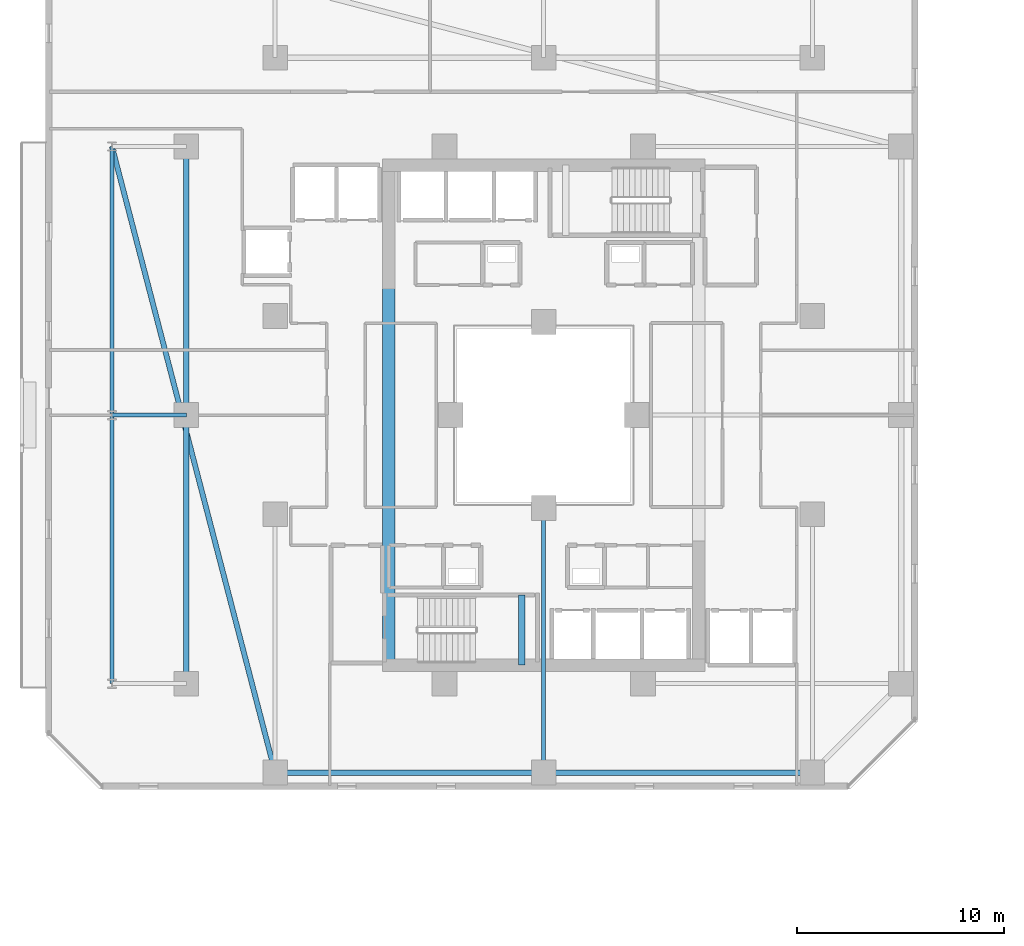
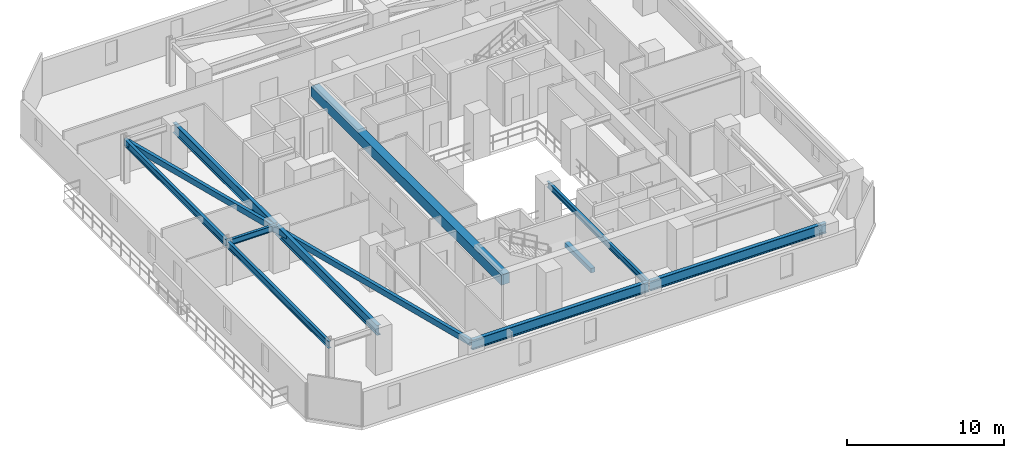
# One storey, part 4 of 33: 11 beams.
"""IFC4 building model written with IfcOpenShell, lengths in metres."""

import ifcopenshell
import ifcopenshell.guid

model = None  # the IFC model being written
_history = None  # IfcOwnerHistory: only IFC2X3 demands one
_inside = {}  # id of a spatial element -> (the spatial element, [elements in it])
_under = {}  # id of a project, library or spatial element -> (it, [spatial elements below it])
_declared = {}  # id of a project -> (the project, [libraries it declares])
_typed = {}  # id of a type object -> (the type object, [elements of that type])
_made_of = {}  # id of a material, layer set ... -> (it, [elements and type objects made of it])


def new_model(schema):
    """Start an empty IFC model of exactly this schema.

    Asked for "IFC4X3", IfcOpenShell would pick the latest addendum, in which some entities
    have other attributes; the version numbers below select the first issue.
    IFC2X3 requires an IfcOwnerHistory on every rooted entity: one is made here for all.
    """
    global model, _history
    if schema == "IFC4X3":
        model = ifcopenshell.file(schema_version=(4, 3, 0, 0))
    else:
        model = ifcopenshell.file(schema=schema)
    _inside.clear()
    _under.clear()
    _declared.clear()
    _typed.clear()
    _made_of.clear()
    _history = None
    if model.schema == "IFC2X3":
        org = make("IfcOrganization", Name="unknown")
        user = make(
            "IfcPersonAndOrganization",
            ThePerson=make("IfcPerson", FamilyName="unknown"),
            TheOrganization=org,
        )
        app = make(
            "IfcApplication",
            ApplicationDeveloper=org,
            Version="unknown",
            ApplicationFullName="unknown",
            ApplicationIdentifier="unknown",
        )
        _history = make(
            "IfcOwnerHistory",
            OwningUser=user,
            OwningApplication=app,
            ChangeAction="ADDED",
            CreationDate=0,
        )
    return model


def make(cls, **values):
    """One entity of the class cls with the attributes given. An attribute that is None is left unset."""
    return model.create_entity(
        cls, **{name: value for name, value in values.items() if value is not None}
    )


def rooted(cls, **values):
    """An entity with a GlobalId (a new one), such as an element, a storey or a relation."""
    return make(cls, GlobalId=ifcopenshell.guid.new(), OwnerHistory=_history, **values)


def si_unit(unit_type, name, prefix=None):
    """IfcSIUnit, for example si_unit("LENGTHUNIT", "METRE", prefix="MILLI")."""
    return make("IfcSIUnit", UnitType=unit_type, Prefix=prefix, Name=name)


def assignment(units):
    """IfcUnitAssignment: the units of a project."""
    return None if units is None else make("IfcUnitAssignment", Units=units)


def point(xyz):
    """IfcCartesianPoint."""
    return None if xyz is None else make("IfcCartesianPoint", Coordinates=xyz)


def direction(xyz):
    """IfcDirection."""
    return None if xyz is None else make("IfcDirection", DirectionRatios=xyz)


def frame(location, z_axis=None, x_axis=None):
    """IfcAxis2Placement3D, a coordinate frame: its origin and axes. An axis left out is left unset."""
    return make(
        "IfcAxis2Placement3D",
        Location=point(location),
        Axis=direction(z_axis),
        RefDirection=direction(x_axis),
    )


def frame_2d(location, x_axis=None):
    """IfcAxis2Placement2D, a coordinate frame in the plane: its origin and x axis."""
    return make(
        "IfcAxis2Placement2D", Location=point(location), RefDirection=direction(x_axis)
    )


def origin():
    """The frame at (0, 0, 0) with its axes left unset."""
    return frame((0.0, 0.0, 0.0))


def origin_2d():
    """The frame at (0, 0) in the plane with its x axis left unset."""
    return frame_2d((0.0, 0.0))


def place(relative_to, where):
    """IfcLocalPlacement: puts the frame where relative to a parent placement (None: the world)."""
    return make(
        "IfcLocalPlacement", PlacementRelTo=relative_to, RelativePlacement=where
    )


def context(
    kind, dimensions, precision=None, world=None, true_north=None, identifier=None
):
    """IfcGeometricRepresentationContext, for example the 3D "Model" context."""
    return make(
        "IfcGeometricRepresentationContext",
        ContextIdentifier=identifier,
        ContextType=kind,
        CoordinateSpaceDimension=dimensions,
        Precision=precision,
        WorldCoordinateSystem=world,
        TrueNorth=true_north,
    )


def subcontext(parent, identifier, kind, view, scale=None):
    """IfcGeometricRepresentationSubContext, for example "Body" below "Model"."""
    return make(
        "IfcGeometricRepresentationSubContext",
        ContextIdentifier=identifier,
        ContextType=kind,
        ParentContext=parent,
        TargetScale=scale,
        TargetView=view,
    )


def project(units=None, contexts=None):
    """IfcProject with its units and contexts."""
    return rooted(
        "IfcProject",
        Name="project",
        RepresentationContexts=contexts,
        UnitsInContext=assignment(units),
    )


def spatial(cls, under=None, at=None, **own):
    """A site, building, storey or space (cls), placed at a placement, below another one or the project."""
    s = rooted(cls, ObjectPlacement=at, **own)
    if under is not None:
        _under.setdefault(under.id(), (under, []))[1].append(s)
    return s


def profile(cls, at=None, kind="AREA", **sizes):
    """A parametric profile (cls). Its sizes go by their IFC names, for example OverallWidth=200.0."""
    return make(cls, ProfileType=kind, Position=at, **sizes)


def rectangle(**sizes):
    """IfcRectangleProfileDef."""
    return profile("IfcRectangleProfileDef", **sizes)


def hollow_rectangle(**sizes):
    """IfcRectangleHollowProfileDef."""
    return profile("IfcRectangleHollowProfileDef", **sizes)


def i_section(**sizes):
    """IfcIShapeProfileDef."""
    return profile("IfcIShapeProfileDef", **sizes)


def extrude(swept, where, along, depth):
    """IfcExtrudedAreaSolid: the profile swept, set in the frame where, extruded along a direction by depth."""
    return make(
        "IfcExtrudedAreaSolid",
        SweptArea=swept,
        Position=where,
        ExtrudedDirection=direction(along),
        Depth=depth,
    )


def shape(context_of_items, identifier, shape_type, items):
    """IfcShapeRepresentation: the items that make up one representation, for example the "Body"."""
    return make(
        "IfcShapeRepresentation",
        ContextOfItems=context_of_items,
        RepresentationIdentifier=identifier,
        RepresentationType=shape_type,
        Items=items,
    )


def material(Name=None, Category=None):
    """IfcMaterial."""
    return make("IfcMaterial", Name=Name, Category=Category)


def material_profile(
    of_material, cross_section, Name=None, Category=None, Priority=None
):
    """IfcMaterialProfile: a cross section and its material."""
    return make(
        "IfcMaterialProfile",
        Name=Name,
        Material=of_material,
        Profile=cross_section,
        Priority=Priority,
        Category=Category,
    )


def profile_set(profiles, Name=None, composite=None):
    """IfcMaterialProfileSet."""
    return make(
        "IfcMaterialProfileSet",
        Name=Name,
        MaterialProfiles=profiles,
        CompositeProfile=composite,
    )


def made_of(thing, what):
    """Note that an element or type object is made of a material, layer set ...; save() writes the relation."""
    if what is not None:
        _made_of.setdefault(what.id(), (what, []))[1].append(thing)
    return thing


def type_object(cls, material=None, **own):
    """A type object (cls), such as IfcWallType, which elements share."""
    return made_of(rooted(cls, **own), material)


def element(
    cls,
    number,
    at=None,
    inside=None,
    cuts=None,
    type_object=None,
    material=None,
    context=None,
    identifier="Body",
    shape_type=None,
    held_by="IfcProductDefinitionShape",
    body=None,
    shapes=None,
    **own,
):
    """One element of the class cls, such as IfcWall. Its Tag is "e" and its number.

    at: its placement. inside: the storey or other place that contains it. cuts: it is an
    opening in that element (IfcRelVoidsElement). A single representation is given by context,
    identifier, shape_type and body (its items); several are given by shapes. held_by: the class
    of the entity that holds the representations. save() writes the other relations.
    """
    e = rooted(cls, Tag="e%d" % number, ObjectPlacement=at, **own)
    if body is not None:
        shapes = [shape(context, identifier, shape_type, body)]
    if shapes is not None:
        e.Representation = make(held_by, Representations=shapes)
    if inside is not None:
        _inside.setdefault(inside.id(), (inside, []))[1].append(e)
    if cuts is not None:
        rooted(
            "IfcRelVoidsElement", RelatingBuildingElement=cuts, RelatedOpeningElement=e
        )
    if type_object is not None:
        _typed.setdefault(type_object.id(), (type_object, []))[1].append(e)
    return made_of(e, material)


def aggregate(whole, parts):
    """IfcRelAggregates: a whole, such as a stair, and the parts it consists of."""
    return rooted("IfcRelAggregates", RelatingObject=whole, RelatedObjects=parts)


def save(model, path):
    """Write the relations noted so far, then the file.

    IfcRelAggregates (storeys below a building ...), IfcRelContainedInSpatialStructure (elements
    in a storey), IfcRelDefinesByType, IfcRelAssociatesMaterial and IfcRelDeclares: one each for
    every whole, place, type object, material and project.
    """
    for whole, parts in _under.values():
        aggregate(whole, parts)
    for where, things in _inside.values():
        rooted(
            "IfcRelContainedInSpatialStructure",
            RelatedElements=things,
            RelatingStructure=where,
        )
    for kind, things in _typed.values():
        rooted("IfcRelDefinesByType", RelatedObjects=things, RelatingType=kind)
    for what, things in _made_of.values():
        rooted("IfcRelAssociatesMaterial", RelatedObjects=things, RelatingMaterial=what)
    for by, libraries in _declared.values():
        rooted("IfcRelDeclares", RelatingContext=by, RelatedDefinitions=libraries)
    model.write(path)


model = new_model("IFC4")

# Units and contexts
model_context = context("Model", 3, precision=1e-05, world=origin(), true_north=direction((0.0, 1.0)))
body_context = subcontext(model_context, "Body", "Model", "MODEL_VIEW")
ifc_project = project(units=[si_unit("LENGTHUNIT", "METRE"), si_unit("AREAUNIT", "SQUARE_METRE"), si_unit("VOLUMEUNIT", "CUBIC_METRE"), si_unit("PLANEANGLEUNIT", "RADIAN"), si_unit("MASSUNIT", "GRAM", prefix="KILO")], contexts=[model_context])

# Site, building, storey
site_placement = place(None, origin())
site = spatial("IfcSite", under=ifc_project, at=site_placement, CompositionType="ELEMENT")
building_placement = place(site_placement, origin())
building = spatial("IfcBuilding", under=site, at=building_placement, Name="Thornwick Lancets Civic Towers", CompositionType="ELEMENT")
storey_placement = place(building_placement, frame((0.0, 0.0, 108.89990234375)))
storey = spatial("IfcBuildingStorey", under=building, at=storey_placement, Name="L28", CompositionType="ELEMENT", Elevation=108.89990234375)

# Beams
ifc_material_1 = material(Name="Concrete C60/75", Category="concrete")
ifc_material_profile_1 = material_profile(ifc_material_1, rectangle(XDim=0.60009765625, YDim=0.800048828125, at=origin_2d()), Name="RC 600x800")
ifc_profile_set_1 = profile_set([ifc_material_profile_1], Name="Concrete C60/75")
beam_type_1 = type_object("IfcBeamType", Name="BM_COUP_RC800", PredefinedType="BEAM", material=ifc_profile_set_1)
beam_1_placement = place(storey_placement, frame((18.0, 14.89990234375, 2.960205078125), z_axis=(0.0, 1.0, 0.0), x_axis=(-1.0, 0.0, 0.0)))
element("IfcBeam", 1, at=beam_1_placement, inside=storey, type_object=beam_type_1, Name="CB-L28-A2", PredefinedType="BEAM", context=body_context, shape_type="SweptSolid", body=[
    extrude(rectangle(XDim=0.60009765625, YDim=0.800048828125, at=origin_2d()), origin(), (0.0, 0.0, 1.0), 24.2001953125),
])
ifc_material_2 = material(Name="Steel S355JR", Category="steel")
ifc_material_profile_2 = material_profile(ifc_material_2, i_section(OverallWidth=0.2119140625, OverallDepth=0.54443359375, WebThickness=0.0126953125, FlangeThickness=0.021240234375, FilletRadius=0.0126953125, at=origin_2d()), Name="UKB 533x210x122")
ifc_profile_set_2 = profile_set([ifc_material_profile_2], Name="Steel S355JR")
beam_type_2 = type_object("IfcBeamType", Name="BM_EDGE_533_122", PredefinedType="SPANDREL", material=ifc_profile_set_2)
beam_2_placement = place(storey_placement, frame((4.60009765625, 14.0, 3.087890625), z_axis=(0.0, 1.0, 0.0), x_axis=(-1.0, 0.0, 0.0)))
element("IfcBeam", 2, at=beam_2_placement, inside=storey, type_object=beam_type_2, Name="BM-EDGE-L28-A-S3-1", PredefinedType="SPANDREL", context=body_context, shape_type="SweptSolid", body=[
    extrude(i_section(OverallWidth=0.2119140625, OverallDepth=0.54443359375, WebThickness=0.0126953125, FlangeThickness=0.021240234375, FilletRadius=0.0126953125, at=origin_2d()), origin(), (0.0, 0.0, 1.0), 13.0),
])
beam_3_placement = place(storey_placement, frame((4.60009765625, 27.080078125, 3.087890625), z_axis=(0.0, 1.0, 0.0), x_axis=(-1.0, 0.0, 0.0)))
element("IfcBeam", 3, at=beam_3_placement, inside=storey, type_object=beam_type_2, Name="BM-EDGE-L28-A-S3-2", PredefinedType="SPANDREL", context=body_context, shape_type="SweptSolid", body=[
    extrude(i_section(OverallWidth=0.2119140625, OverallDepth=0.54443359375, WebThickness=0.0126953125, FlangeThickness=0.021240234375, FilletRadius=0.0126953125, at=origin_2d()), origin(), (0.0, 0.0, 1.0), 12.919921875),
])
ifc_material_profile_3 = material_profile(ifc_material_2, i_section(OverallWidth=0.26806640625, OverallDepth=0.769775390625, WebThickness=0.015625, FlangeThickness=0.025390625, FilletRadius=0.0166015625, at=origin_2d()), Name="UKB 762x267x197")
ifc_profile_set_3 = profile_set([ifc_material_profile_3], Name="Steel S355JR")
beam_type_3 = type_object("IfcBeamType", Name="BM_GIRD_762_197", PredefinedType="BEAM", material=ifc_profile_set_3)
beam_4_placement = place(storey_placement, frame((12.5, 9.699951171875, 2.97509765625), z_axis=(1.0, 0.0, 0.0), x_axis=(0.0, 1.0, 0.0)))
element("IfcBeam", 4, at=beam_4_placement, inside=storey, type_object=beam_type_3, Name="BM-SPINE-L28-A-0-1", PredefinedType="BEAM", context=body_context, shape_type="SweptSolid", body=[
    extrude(i_section(OverallWidth=0.26806640625, OverallDepth=0.769775390625, WebThickness=0.015625, FlangeThickness=0.025390625, FilletRadius=0.0166015625, at=origin_2d()), origin(), (0.0, 0.0, 1.0), 13.0),
])
beam_5_placement = place(storey_placement, frame((25.580078125, 9.699951171875, 2.97509765625), z_axis=(1.0, 0.0, 0.0), x_axis=(0.0, 1.0, 0.0)))
element("IfcBeam", 5, at=beam_5_placement, inside=storey, type_object=beam_type_3, Name="BM-SPINE-L28-A-1-2", PredefinedType="BEAM", context=body_context, shape_type="SweptSolid", body=[
    extrude(i_section(OverallWidth=0.26806640625, OverallDepth=0.769775390625, WebThickness=0.015625, FlangeThickness=0.025390625, FilletRadius=0.0166015625, at=origin_2d()), origin(), (0.0, 0.0, 1.0), 12.919921875),
])
beam_6_placement = place(storey_placement, frame((8.199951171875, 14.0, 2.97509765625), z_axis=(0.0, 1.0, 0.0), x_axis=(-1.0, 0.0, 0.0)))
element("IfcBeam", 6, at=beam_6_placement, inside=storey, type_object=beam_type_3, Name="BM-SPINE-L28-A-9-10", PredefinedType="BEAM", context=body_context, shape_type="SweptSolid", body=[
    extrude(i_section(OverallWidth=0.26806640625, OverallDepth=0.769775390625, WebThickness=0.015625, FlangeThickness=0.025390625, FilletRadius=0.0166015625, at=origin_2d()), origin(), (0.0, 0.0, 1.0), 13.0),
])
beam_7_placement = place(storey_placement, frame((8.199951171875, 27.080078125, 2.97509765625), z_axis=(0.0, 1.0, 0.0), x_axis=(-1.0, 0.0, 0.0)))
element("IfcBeam", 7, at=beam_7_placement, inside=storey, type_object=beam_type_3, Name="BM-SPINE-L28-A-10-11", PredefinedType="BEAM", context=body_context, shape_type="SweptSolid", body=[
    extrude(i_section(OverallWidth=0.26806640625, OverallDepth=0.769775390625, WebThickness=0.015625, FlangeThickness=0.025390625, FilletRadius=0.0166015625, at=origin_2d()), origin(), (0.0, 0.0, 1.0), 12.919921875),
])
ifc_material_profile_4 = material_profile(ifc_material_2, i_section(OverallWidth=0.19189453125, OverallDepth=0.46337890625, WebThickness=0.010498046875, FlangeThickness=0.017578125, FilletRadius=0.01025390625, at=origin_2d()), Name="UKB 457x191x89")
ifc_profile_set_4 = profile_set([ifc_material_profile_4], Name="Steel S355JR")
beam_type_4 = type_object("IfcBeamType", Name="BM_JOIST_457_89", PredefinedType="JOIST", material=ifc_profile_set_4)
beam_8_placement = place(storey_placement, frame((25.5, 22.5, 3.12841796875), z_axis=(0.0, -1.0, 0.0), x_axis=(1.0, 0.0, 0.0)))
element("IfcBeam", 8, at=beam_8_placement, inside=storey, type_object=beam_type_4, Name="BM-RADIN-L28-A02", PredefinedType="JOIST", context=body_context, shape_type="SweptSolid", body=[
    extrude(i_section(OverallWidth=0.19189453125, OverallDepth=0.46337890625, WebThickness=0.010498046875, FlangeThickness=0.017578125, FilletRadius=0.01025390625, at=origin_2d()), origin(), (0.0, 0.0, 1.0), 12.800048828125),
])
beam_9_placement = place(storey_placement, frame((8.199951171875, 27.0, 3.12841796875), z_axis=(-1.0, 0.0, 0.0), x_axis=(0.0, -1.0, 0.0)))
element("IfcBeam", 9, at=beam_9_placement, inside=storey, type_object=beam_type_4, Name="BM-RAD-L28-A11", PredefinedType="JOIST", context=body_context, shape_type="SweptSolid", body=[
    extrude(i_section(OverallWidth=0.19189453125, OverallDepth=0.46337890625, WebThickness=0.010498046875, FlangeThickness=0.017578125, FilletRadius=0.01025390625, at=origin_2d()), origin(), (0.0, 0.0, 1.0), 3.599853515625),
])
ifc_material_profile_5 = material_profile(ifc_material_2, hollow_rectangle(XDim=0.25, YDim=0.449951171875, WallThickness=0.01611328125, at=origin_2d()), Name="RHS 450x250x16")
ifc_profile_set_5 = profile_set([ifc_material_profile_5], Name="Steel S355JR")
beam_type_5 = type_object("IfcBeamType", Name="BM_RING_RHS450", PredefinedType="BEAM", material=ifc_profile_set_5)
beam_10_placement = place(storey_placement, frame((4.60009765625, 40.0, 3.135009765625), z_axis=(0.252288590311, -0.967652038286, 0.0), x_axis=(0.967652038286, 0.252288590311, 0.0)))
element("IfcBeam", 10, at=beam_10_placement, inside=storey, type_object=beam_type_5, Name="BM-CHAMF-L28-A-C3", PredefinedType="BEAM", context=body_context, shape_type="SweptSolid", body=[
    extrude(hollow_rectangle(XDim=0.25, YDim=0.449951171875, WallThickness=0.01611328125, at=origin_2d()), origin(), (0.0, 0.0, 1.0), 31.31298828125),
])
ifc_material_3 = material(Name="Concrete C40/50", Category="concrete")
ifc_material_profile_6 = material_profile(ifc_material_3, rectangle(XDim=0.300048828125, YDim=0.35009765625, at=origin_2d()), Name="RC 300x350")
ifc_profile_set_6 = profile_set([ifc_material_profile_6], Name="Concrete C40/50")
beam_type_6 = type_object("IfcBeamType", Name="BM_STAIR_LDG", PredefinedType="BEAM", material=ifc_profile_set_6)
beam_11_placement = place(storey_placement, frame((24.43505859375, 14.89990234375, 1.378173828125), z_axis=(0.0, 1.0, 0.0), x_axis=(-1.0, 0.0, 0.0)))
element("IfcBeam", 11, at=beam_11_placement, inside=storey, type_object=beam_type_6, Name="L28 ST-A1 Landing Support Beam 1", PredefinedType="BEAM", context=body_context, shape_type="SweptSolid", body=[
    extrude(rectangle(XDim=0.300048828125, YDim=0.35009765625, at=origin_2d()), origin(), (0.0, 0.0, 1.0), 3.400146484375),
])

save(model, "model.ifc")
